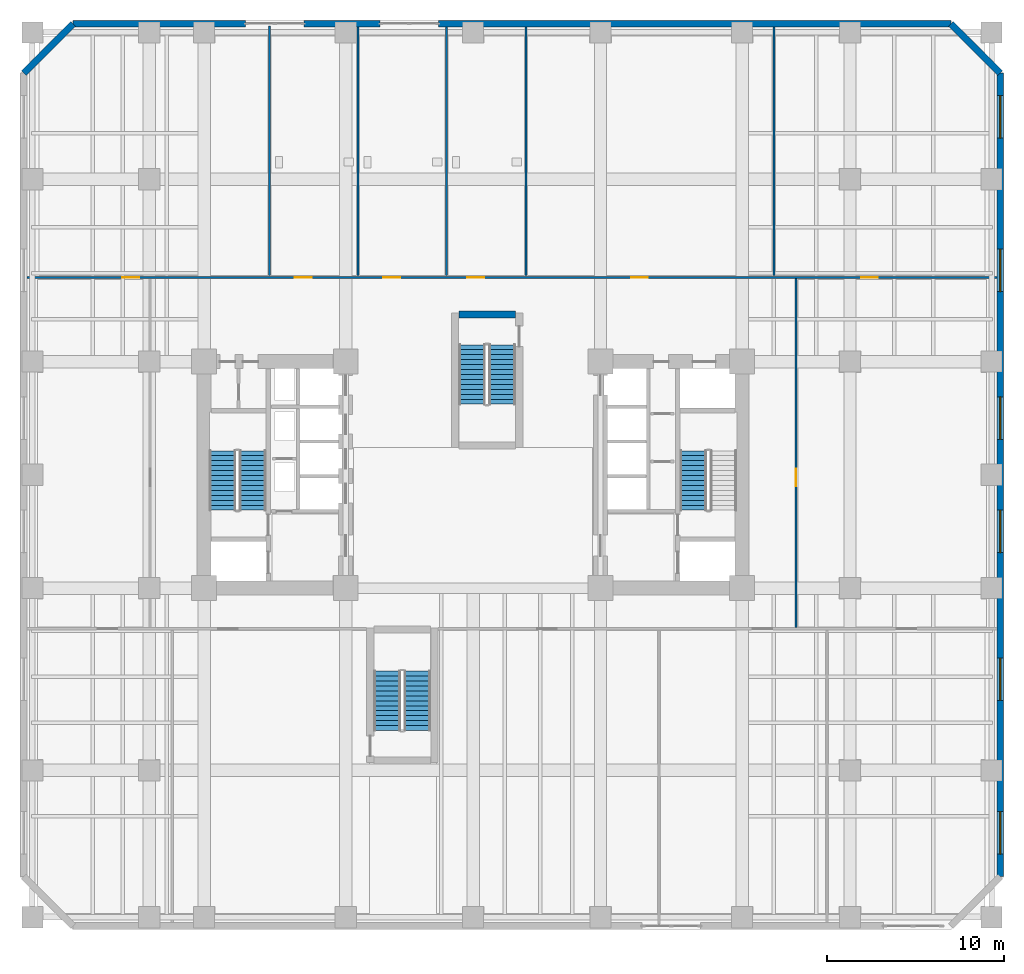
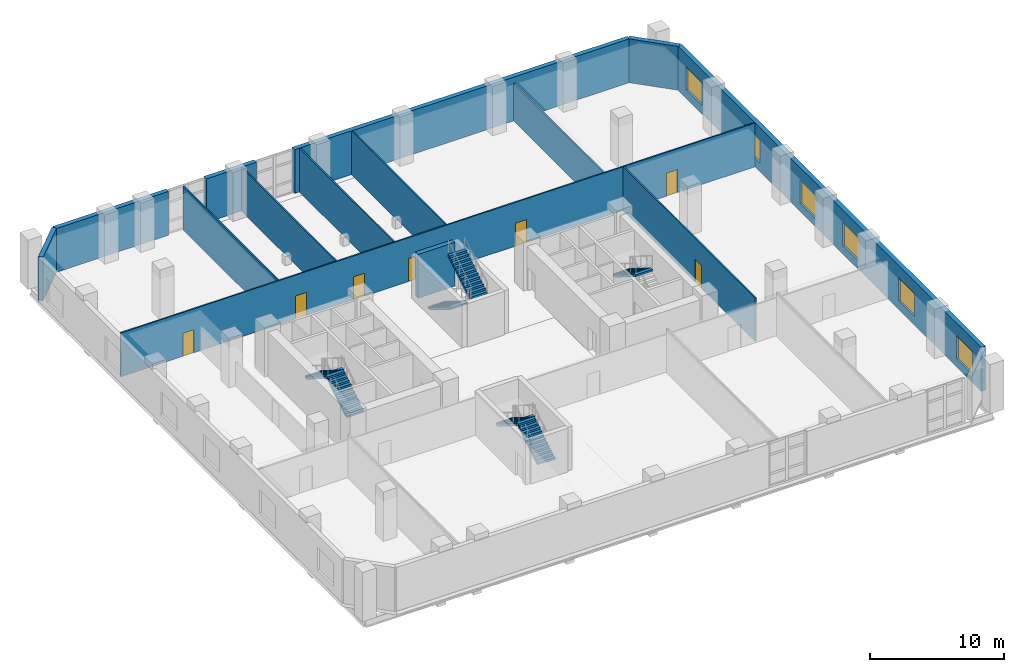
# One storey, part 8 of 15: 14 walls, 7 doors, 7 stair flights, 6 windows, 13 openings, 4 elements without a shape of their own.
"""IFC4 building model written with IfcOpenShell, lengths in metres."""

import ifcopenshell
import ifcopenshell.guid

model = None  # the IFC model being written
_history = None  # IfcOwnerHistory: only IFC2X3 demands one
_inside = {}  # id of a spatial element -> (the spatial element, [elements in it])
_under = {}  # id of a project, library or spatial element -> (it, [spatial elements below it])
_declared = {}  # id of a project -> (the project, [libraries it declares])
_typed = {}  # id of a type object -> (the type object, [elements of that type])
_made_of = {}  # id of a material, layer set ... -> (it, [elements and type objects made of it])


def new_model(schema):
    """Start an empty IFC model of exactly this schema.

    Asked for "IFC4X3", IfcOpenShell would pick the latest addendum, in which some entities
    have other attributes; the version numbers below select the first issue.
    IFC2X3 requires an IfcOwnerHistory on every rooted entity: one is made here for all.
    """
    global model, _history
    if schema == "IFC4X3":
        model = ifcopenshell.file(schema_version=(4, 3, 0, 0))
    else:
        model = ifcopenshell.file(schema=schema)
    _inside.clear()
    _under.clear()
    _declared.clear()
    _typed.clear()
    _made_of.clear()
    _history = None
    if model.schema == "IFC2X3":
        org = make("IfcOrganization", Name="unknown")
        user = make(
            "IfcPersonAndOrganization",
            ThePerson=make("IfcPerson", FamilyName="unknown"),
            TheOrganization=org,
        )
        app = make(
            "IfcApplication",
            ApplicationDeveloper=org,
            Version="unknown",
            ApplicationFullName="unknown",
            ApplicationIdentifier="unknown",
        )
        _history = make(
            "IfcOwnerHistory",
            OwningUser=user,
            OwningApplication=app,
            ChangeAction="ADDED",
            CreationDate=0,
        )
    return model


def make(cls, **values):
    """One entity of the class cls with the attributes given. An attribute that is None is left unset."""
    return model.create_entity(
        cls, **{name: value for name, value in values.items() if value is not None}
    )


def rooted(cls, **values):
    """An entity with a GlobalId (a new one), such as an element, a storey or a relation."""
    return make(cls, GlobalId=ifcopenshell.guid.new(), OwnerHistory=_history, **values)


def si_unit(unit_type, name, prefix=None):
    """IfcSIUnit, for example si_unit("LENGTHUNIT", "METRE", prefix="MILLI")."""
    return make("IfcSIUnit", UnitType=unit_type, Prefix=prefix, Name=name)


def assignment(units):
    """IfcUnitAssignment: the units of a project."""
    return None if units is None else make("IfcUnitAssignment", Units=units)


def point(xyz):
    """IfcCartesianPoint."""
    return None if xyz is None else make("IfcCartesianPoint", Coordinates=xyz)


def direction(xyz):
    """IfcDirection."""
    return None if xyz is None else make("IfcDirection", DirectionRatios=xyz)


def frame(location, z_axis=None, x_axis=None):
    """IfcAxis2Placement3D, a coordinate frame: its origin and axes. An axis left out is left unset."""
    return make(
        "IfcAxis2Placement3D",
        Location=point(location),
        Axis=direction(z_axis),
        RefDirection=direction(x_axis),
    )


def frame_2d(location, x_axis=None):
    """IfcAxis2Placement2D, a coordinate frame in the plane: its origin and x axis."""
    return make(
        "IfcAxis2Placement2D", Location=point(location), RefDirection=direction(x_axis)
    )


def origin():
    """The frame at (0, 0, 0) with its axes left unset."""
    return frame((0.0, 0.0, 0.0))


def place(relative_to, where):
    """IfcLocalPlacement: puts the frame where relative to a parent placement (None: the world)."""
    return make(
        "IfcLocalPlacement", PlacementRelTo=relative_to, RelativePlacement=where
    )


def context(
    kind, dimensions, precision=None, world=None, true_north=None, identifier=None
):
    """IfcGeometricRepresentationContext, for example the 3D "Model" context."""
    return make(
        "IfcGeometricRepresentationContext",
        ContextIdentifier=identifier,
        ContextType=kind,
        CoordinateSpaceDimension=dimensions,
        Precision=precision,
        WorldCoordinateSystem=world,
        TrueNorth=true_north,
    )


def subcontext(parent, identifier, kind, view, scale=None):
    """IfcGeometricRepresentationSubContext, for example "Body" below "Model"."""
    return make(
        "IfcGeometricRepresentationSubContext",
        ContextIdentifier=identifier,
        ContextType=kind,
        ParentContext=parent,
        TargetScale=scale,
        TargetView=view,
    )


def project(units=None, contexts=None):
    """IfcProject with its units and contexts."""
    return rooted(
        "IfcProject",
        Name="project",
        RepresentationContexts=contexts,
        UnitsInContext=assignment(units),
    )


def spatial(cls, under=None, at=None, **own):
    """A site, building, storey or space (cls), placed at a placement, below another one or the project."""
    s = rooted(cls, ObjectPlacement=at, **own)
    if under is not None:
        _under.setdefault(under.id(), (under, []))[1].append(s)
    return s


def polyline(points):
    """IfcPolyline through the points."""
    return make("IfcPolyline", Points=[point(p) for p in points])


def profile(cls, at=None, kind="AREA", **sizes):
    """A parametric profile (cls). Its sizes go by their IFC names, for example OverallWidth=200.0."""
    return make(cls, ProfileType=kind, Position=at, **sizes)


def rectangle(**sizes):
    """IfcRectangleProfileDef."""
    return profile("IfcRectangleProfileDef", **sizes)


def outline(outer, holes=None, kind="AREA"):
    """IfcArbitraryClosedProfileDef: a profile drawn as a closed curve; with holes, ...WithVoids."""
    if holes is None:
        return make("IfcArbitraryClosedProfileDef", ProfileType=kind, OuterCurve=outer)
    return make(
        "IfcArbitraryProfileDefWithVoids",
        ProfileType=kind,
        OuterCurve=outer,
        InnerCurves=holes,
    )


def extrude(swept, where, along, depth):
    """IfcExtrudedAreaSolid: the profile swept, set in the frame where, extruded along a direction by depth."""
    return make(
        "IfcExtrudedAreaSolid",
        SweptArea=swept,
        Position=where,
        ExtrudedDirection=direction(along),
        Depth=depth,
    )


def shape(context_of_items, identifier, shape_type, items):
    """IfcShapeRepresentation: the items that make up one representation, for example the "Body"."""
    return make(
        "IfcShapeRepresentation",
        ContextOfItems=context_of_items,
        RepresentationIdentifier=identifier,
        RepresentationType=shape_type,
        Items=items,
    )


def material(Name=None, Category=None):
    """IfcMaterial."""
    return make("IfcMaterial", Name=Name, Category=Category)


def layer(
    of_material, thickness, ventilated=None, Name=None, Category=None, Priority=None
):
    """IfcMaterialLayer: one layer of a wall or slab, of a material (None: an air gap)."""
    return make(
        "IfcMaterialLayer",
        Material=of_material,
        LayerThickness=thickness,
        IsVentilated=ventilated,
        Name=Name,
        Category=Category,
        Priority=Priority,
    )


def layer_set(layers, Name=None):
    """IfcMaterialLayerSet."""
    return make("IfcMaterialLayerSet", MaterialLayers=layers, LayerSetName=Name)


def made_of(thing, what):
    """Note that an element or type object is made of a material, layer set ...; save() writes the relation."""
    if what is not None:
        _made_of.setdefault(what.id(), (what, []))[1].append(thing)
    return thing


def type_object(cls, material=None, **own):
    """A type object (cls), such as IfcWallType, which elements share."""
    return made_of(rooted(cls, **own), material)


def element(
    cls,
    number,
    at=None,
    inside=None,
    cuts=None,
    type_object=None,
    material=None,
    context=None,
    identifier="Body",
    shape_type=None,
    held_by="IfcProductDefinitionShape",
    body=None,
    shapes=None,
    **own,
):
    """One element of the class cls, such as IfcWall. Its Tag is "e" and its number.

    at: its placement. inside: the storey or other place that contains it. cuts: it is an
    opening in that element (IfcRelVoidsElement). A single representation is given by context,
    identifier, shape_type and body (its items); several are given by shapes. held_by: the class
    of the entity that holds the representations. save() writes the other relations.
    """
    e = rooted(cls, Tag="e%d" % number, ObjectPlacement=at, **own)
    if body is not None:
        shapes = [shape(context, identifier, shape_type, body)]
    if shapes is not None:
        e.Representation = make(held_by, Representations=shapes)
    if inside is not None:
        _inside.setdefault(inside.id(), (inside, []))[1].append(e)
    if cuts is not None:
        rooted(
            "IfcRelVoidsElement", RelatingBuildingElement=cuts, RelatedOpeningElement=e
        )
    if type_object is not None:
        _typed.setdefault(type_object.id(), (type_object, []))[1].append(e)
    return made_of(e, material)


def fill(opening, filler):
    """IfcRelFillsElement: the door or window that sits in an opening."""
    return rooted(
        "IfcRelFillsElement",
        RelatingOpeningElement=opening,
        RelatedBuildingElement=filler,
    )


def aggregate(whole, parts):
    """IfcRelAggregates: a whole, such as a stair, and the parts it consists of."""
    return rooted("IfcRelAggregates", RelatingObject=whole, RelatedObjects=parts)


def save(model, path):
    """Write the relations noted so far, then the file.

    IfcRelAggregates (storeys below a building ...), IfcRelContainedInSpatialStructure (elements
    in a storey), IfcRelDefinesByType, IfcRelAssociatesMaterial and IfcRelDeclares: one each for
    every whole, place, type object, material and project.
    """
    for whole, parts in _under.values():
        aggregate(whole, parts)
    for where, things in _inside.values():
        rooted(
            "IfcRelContainedInSpatialStructure",
            RelatedElements=things,
            RelatingStructure=where,
        )
    for kind, things in _typed.values():
        rooted("IfcRelDefinesByType", RelatedObjects=things, RelatingType=kind)
    for what, things in _made_of.values():
        rooted("IfcRelAssociatesMaterial", RelatedObjects=things, RelatingMaterial=what)
    for by, libraries in _declared.values():
        rooted("IfcRelDeclares", RelatingContext=by, RelatedDefinitions=libraries)
    model.write(path)


model = new_model("IFC4")

# Units and contexts
model_context = context("Model", 3, precision=1e-05, world=origin(), true_north=direction((0.0, 1.0)))
body_context = subcontext(model_context, "Body", "Model", "MODEL_VIEW")
ifc_project = project(units=[si_unit("LENGTHUNIT", "METRE"), si_unit("AREAUNIT", "SQUARE_METRE"), si_unit("VOLUMEUNIT", "CUBIC_METRE"), si_unit("PLANEANGLEUNIT", "RADIAN"), si_unit("MASSUNIT", "GRAM", prefix="KILO")], contexts=[model_context])

# Site, building, storey
site_placement = place(None, origin())
site = spatial("IfcSite", under=ifc_project, at=site_placement, CompositionType="ELEMENT")
building_placement = place(site_placement, origin())
building = spatial("IfcBuilding", under=site, at=building_placement, Name="Kranthara Brick Stack", CompositionType="ELEMENT")
storey_placement = place(building_placement, frame((0.0, 0.0, 14.39990234375)))
storey = spatial("IfcBuildingStorey", under=building, at=storey_placement, Name="L03", CompositionType="ELEMENT", Elevation=14.39990234375)

# Walls
ifc_material_1 = material(Name="Kiln-fired clay brick masonry M15", Category="masonry")
ifc_layer_1 = layer(ifc_material_1, 0.3798828125)
ifc_layer_set_1 = layer_set([ifc_layer_1], Name="Kiln-fired clay brick masonry M15")
wall_type_1 = type_object("IfcWallType", Name="WL-BRK-PIER-380", PredefinedType="STANDARD", material=ifc_layer_set_1)
wall_1_placement = place(storey_placement, frame((2.610107421875, 49.89990234375, 0.0), z_axis=(0.0, 0.0, 1.0), x_axis=(0.707075841688, 0.707137719332, 0.0)))
element("IfcWall", 1, at=wall_1_placement, inside=storey, type_object=wall_type_1, Name="L03 Exterior Brick Facade Wall NW 1", PredefinedType="STANDARD", context=body_context, shape_type="SweptSolid", body=[
    extrude(rectangle(XDim=3.945556640625, YDim=0.3798828125, at=frame_2d((1.97265625, 0.0))), origin(), (0.0, 0.0, 1.0), 4.0),
])
wall_2_placement = place(storey_placement, frame((5.39990234375, 52.68994140625, 0.0), z_axis=(0.0, 0.0, 1.0), x_axis=(1.0, 0.0, 0.0)))
element("IfcWall", 2, at=wall_2_placement, inside=storey, type_object=wall_type_1, Name="L03 Exterior Brick Facade Wall NORTH 1", PredefinedType="STANDARD", context=body_context, shape_type="SweptSolid", body=[
    extrude(rectangle(XDim=9.75, YDim=0.3798828125, at=frame_2d((4.875, 0.0))), origin(), (0.0, 0.0, 1.0), 4.0),
])
wall_3_placement = place(storey_placement, frame((18.449951171875, 52.68994140625, 0.0), z_axis=(0.0, 0.0, 1.0), x_axis=(1.0, 0.0, 0.0)))
element("IfcWall", 3, at=wall_3_placement, inside=storey, type_object=wall_type_1, Name="L03 Exterior Brick Facade Wall NORTH 2", PredefinedType="STANDARD", context=body_context, shape_type="SweptSolid", body=[
    extrude(rectangle(XDim=4.300048828125, YDim=0.3798828125, at=frame_2d((2.14990234375, 0.0))), origin(), (0.0, 0.0, 1.0), 4.0),
])
wall_4_placement = place(storey_placement, frame((26.050048828125, 52.68994140625, 0.0), z_axis=(0.0, 0.0, 1.0), x_axis=(1.0, 0.0, 0.0)))
element("IfcWall", 4, at=wall_4_placement, inside=storey, type_object=wall_type_1, Name="L03 Exterior Brick Facade Wall NORTH 3", PredefinedType="STANDARD", context=body_context, shape_type="SweptSolid", body=[
    extrude(rectangle(XDim=28.949951171875, YDim=0.3798828125, at=frame_2d((14.47509765625, 0.0))), origin(), (0.0, 0.0, 1.0), 4.0),
])
wall_5_placement = place(storey_placement, frame((55.0, 52.68994140625, 0.0), z_axis=(0.0, 0.0, 1.0), x_axis=(0.707106781187, -0.707106781187, 0.0)))
element("IfcWall", 5, at=wall_5_placement, inside=storey, type_object=wall_type_1, Name="L03 Exterior Brick Facade Wall NE 1", PredefinedType="STANDARD", context=body_context, shape_type="SweptSolid", body=[
    extrude(rectangle(XDim=3.94580078125, YDim=0.3798828125, at=frame_2d((1.972900390625, 0.0))), origin(), (0.0, 0.0, 1.0), 4.0),
])

# Wall, openings, windows
wall_6_placement = place(storey_placement, frame((57.7900390625, 49.89990234375, 0.0), z_axis=(0.0, 0.0, 1.0), x_axis=(0.0, -1.0, 0.0)))
wall_6 = element("IfcWall", 6, at=wall_6_placement, inside=storey, type_object=wall_type_1, Name="L03 Exterior Brick Facade Wall EAST 1", PredefinedType="STANDARD", context=body_context, shape_type="SweptSolid", body=[
    extrude(rectangle(XDim=45.39990234375, YDim=0.3798828125, at=frame_2d((22.699951171875, 0.0))), origin(), (0.0, 0.0, 1.0), 4.0),
])
opening_1_placement = place(wall_6_placement, frame((1.27490234375, 0.0, 0.75)))
opening_1 = element("IfcOpeningElement", 7, at=opening_1_placement, cuts=wall_6, Name="Opening WN11", PredefinedType="OPENING", context=body_context, shape_type="SweptSolid", body=[
    extrude(rectangle(XDim=2.39990234375, YDim=2.10009765625, at=frame_2d((1.199951171875, 1.050048828125))), frame((0.0, 0.199951171875, 0.0), z_axis=(0.0, -1.0, 0.0), x_axis=(1.0, 0.0, 0.0)), (0.0, 0.0, 1.0), 0.39990234375),
])
opening_2_placement = place(wall_6_placement, frame((9.949951171875, 0.0, 0.75)))
opening_2 = element("IfcOpeningElement", 8, at=opening_2_placement, cuts=wall_6, Name="Opening WN11", PredefinedType="OPENING", context=body_context, shape_type="SweptSolid", body=[
    extrude(rectangle(XDim=2.39990234375, YDim=2.10009765625, at=frame_2d((1.199951171875, 1.050048828125))), frame((0.0, 0.199951171875, 0.0), z_axis=(0.0, -1.0, 0.0), x_axis=(1.0, 0.0, 0.0)), (0.0, 0.0, 1.0), 0.39990234375),
])
opening_3_placement = place(wall_6_placement, frame((18.300048828125, 0.0, 0.75)))
opening_3 = element("IfcOpeningElement", 9, at=opening_3_placement, cuts=wall_6, Name="Opening WN11", PredefinedType="OPENING", context=body_context, shape_type="SweptSolid", body=[
    extrude(rectangle(XDim=2.39990234375, YDim=2.10009765625, at=frame_2d((1.199951171875, 1.050048828125))), frame((0.0, 0.199951171875, 0.0), z_axis=(0.0, -1.0, 0.0), x_axis=(1.0, 0.0, 0.0)), (0.0, 0.0, 1.0), 0.39990234375),
])
opening_4_placement = place(wall_6_placement, frame((24.699951171875, 0.0, 0.75)))
opening_4 = element("IfcOpeningElement", 10, at=opening_4_placement, cuts=wall_6, Name="Opening WN11", PredefinedType="OPENING", context=body_context, shape_type="SweptSolid", body=[
    extrude(rectangle(XDim=2.39990234375, YDim=2.10009765625, at=frame_2d((1.199951171875, 1.050048828125))), frame((0.0, 0.199951171875, 0.0), z_axis=(0.0, -1.0, 0.0), x_axis=(1.0, 0.0, 0.0)), (0.0, 0.0, 1.0), 0.39990234375),
])
opening_5_placement = place(wall_6_placement, frame((33.050048828125, 0.0, 0.75)))
opening_5 = element("IfcOpeningElement", 11, at=opening_5_placement, cuts=wall_6, Name="Opening WN11", PredefinedType="OPENING", context=body_context, shape_type="SweptSolid", body=[
    extrude(rectangle(XDim=2.39990234375, YDim=2.10009765625, at=frame_2d((1.199951171875, 1.050048828125))), frame((0.0, 0.199951171875, 0.0), z_axis=(0.0, -1.0, 0.0), x_axis=(1.0, 0.0, 0.0)), (0.0, 0.0, 1.0), 0.39990234375),
])
opening_6_placement = place(wall_6_placement, frame((41.72509765625, 0.0, 0.75)))
opening_6 = element("IfcOpeningElement", 12, at=opening_6_placement, cuts=wall_6, Name="Opening WN11", PredefinedType="OPENING", context=body_context, shape_type="SweptSolid", body=[
    extrude(rectangle(XDim=2.39990234375, YDim=2.10009765625, at=frame_2d((1.199951171875, 1.050048828125))), frame((0.0, 0.199951171875, 0.0), z_axis=(0.0, -1.0, 0.0), x_axis=(1.0, 0.0, 0.0)), (0.0, 0.0, 1.0), 0.39990234375),
])
ifc_material_2 = material(Name="Double-glazed low-E solar control glass", Category="glass")
window_type = type_object("IfcWindowType", Name="WN-POD-2400x2100", PartitioningType="TRIPLE_PANEL_VERTICAL", PredefinedType="WINDOW", material=ifc_material_2)
window_1_placement = place(opening_1_placement, origin())
window_1 = element("IfcWindow", 13, at=window_1_placement, inside=storey, type_object=window_type, Name="L03 EAST Podium Window", OverallHeight=2.10009765625, OverallWidth=2.39990234375, PartitioningType="SINGLE_PANEL", PredefinedType="WINDOW", context=body_context, shape_type="SweptSolid", body=[
    extrude(rectangle(XDim=2.39990234375, YDim=2.10009765625, at=frame_2d((1.199951171875, 1.050048828125))), frame((0.0, 0.030029296875, 0.0), z_axis=(0.0, -1.0, 0.0), x_axis=(1.0, 0.0, 0.0)), (0.0, 0.0, 1.0), 0.06005859375),
])
fill(opening_1, window_1)
window_2_placement = place(opening_2_placement, origin())
window_2 = element("IfcWindow", 14, at=window_2_placement, inside=storey, type_object=window_type, Name="L03 EAST Podium Window", OverallHeight=2.10009765625, OverallWidth=2.39990234375, PartitioningType="SINGLE_PANEL", PredefinedType="WINDOW", context=body_context, shape_type="SweptSolid", body=[
    extrude(rectangle(XDim=2.39990234375, YDim=2.10009765625, at=frame_2d((1.199951171875, 1.050048828125))), frame((0.0, 0.030029296875, 0.0), z_axis=(0.0, -1.0, 0.0), x_axis=(1.0, 0.0, 0.0)), (0.0, 0.0, 1.0), 0.06005859375),
])
fill(opening_2, window_2)
window_3_placement = place(opening_3_placement, origin())
window_3 = element("IfcWindow", 15, at=window_3_placement, inside=storey, type_object=window_type, Name="L03 EAST Podium Window", OverallHeight=2.10009765625, OverallWidth=2.39990234375, PartitioningType="SINGLE_PANEL", PredefinedType="WINDOW", context=body_context, shape_type="SweptSolid", body=[
    extrude(rectangle(XDim=2.39990234375, YDim=2.10009765625, at=frame_2d((1.199951171875, 1.050048828125))), frame((0.0, 0.030029296875, 0.0), z_axis=(0.0, -1.0, 0.0), x_axis=(1.0, 0.0, 0.0)), (0.0, 0.0, 1.0), 0.06005859375),
])
fill(opening_3, window_3)
window_4_placement = place(opening_4_placement, origin())
window_4 = element("IfcWindow", 16, at=window_4_placement, inside=storey, type_object=window_type, Name="L03 EAST Podium Window", OverallHeight=2.10009765625, OverallWidth=2.39990234375, PartitioningType="SINGLE_PANEL", PredefinedType="WINDOW", context=body_context, shape_type="SweptSolid", body=[
    extrude(rectangle(XDim=2.39990234375, YDim=2.10009765625, at=frame_2d((1.199951171875, 1.050048828125))), frame((0.0, 0.030029296875, 0.0), z_axis=(0.0, -1.0, 0.0), x_axis=(1.0, 0.0, 0.0)), (0.0, 0.0, 1.0), 0.06005859375),
])
fill(opening_4, window_4)
window_5_placement = place(opening_5_placement, origin())
window_5 = element("IfcWindow", 17, at=window_5_placement, inside=storey, type_object=window_type, Name="L03 EAST Podium Window", OverallHeight=2.10009765625, OverallWidth=2.39990234375, PartitioningType="SINGLE_PANEL", PredefinedType="WINDOW", context=body_context, shape_type="SweptSolid", body=[
    extrude(rectangle(XDim=2.39990234375, YDim=2.10009765625, at=frame_2d((1.199951171875, 1.050048828125))), frame((0.0, 0.030029296875, 0.0), z_axis=(0.0, -1.0, 0.0), x_axis=(1.0, 0.0, 0.0)), (0.0, 0.0, 1.0), 0.06005859375),
])
fill(opening_5, window_5)
window_6_placement = place(opening_6_placement, origin())
window_6 = element("IfcWindow", 18, at=window_6_placement, inside=storey, type_object=window_type, Name="L03 EAST Podium Window", OverallHeight=2.10009765625, OverallWidth=2.39990234375, PartitioningType="SINGLE_PANEL", PredefinedType="WINDOW", context=body_context, shape_type="SweptSolid", body=[
    extrude(rectangle(XDim=2.39990234375, YDim=2.10009765625, at=frame_2d((1.199951171875, 1.050048828125))), frame((0.0, 0.030029296875, 0.0), z_axis=(0.0, -1.0, 0.0), x_axis=(1.0, 0.0, 0.0)), (0.0, 0.0, 1.0), 0.06005859375),
])
fill(opening_6, window_6)

# Wall
ifc_material_3 = material(Name="Concrete C50/60", Category="concrete")
ifc_layer_2 = layer(ifc_material_3, 0.39990234375)
ifc_layer_set_2 = layer_set([ifc_layer_2], Name="Concrete C50/60")
wall_type_2 = type_object("IfcWallType", Name="WL-CORE-400", PredefinedType="SHEAR", material=ifc_layer_set_2)
wall_7_placement = place(storey_placement, frame((27.199951171875, 36.25, 0.0), z_axis=(0.0, 0.0, 1.0), x_axis=(1.0, 0.0, 0.0)))
element("IfcWall", 19, at=wall_7_placement, inside=storey, type_object=wall_type_2, Name="L03 Stair ST04 Bearing Wall N", PredefinedType="SHEAR", context=body_context, shape_type="SweptSolid", body=[
    extrude(rectangle(XDim=3.199951171875, YDim=0.39990234375, at=frame_2d((1.60009765625, 0.0))), origin(), (0.0, 0.0, 1.0), 4.0),
])

# Wall, openings, doors
ifc_material_4 = material(Name="Acoustic gypsum plasterboard partition", Category="other")
ifc_layer_3 = layer(ifc_material_4, 0.1201171875)
ifc_layer_set_3 = layer_set([ifc_layer_3], Name="Acoustic gypsum plasterboard partition")
wall_type_3 = type_object("IfcWallType", Name="WL-PART-120", PredefinedType="PARTITIONING", material=ifc_layer_set_3)
wall_8_placement = place(storey_placement, frame((2.804931640625, 38.35009765625, 0.0), z_axis=(0.0, 0.0, 1.0), x_axis=(1.0, 0.0, 0.0)))
wall_8 = element("IfcWall", 20, at=wall_8_placement, inside=storey, type_object=wall_type_3, Name="L03 Interior Partition 010", PredefinedType="PARTITIONING", context=body_context, shape_type="SweptSolid", body=[
    extrude(rectangle(XDim=54.7900390625, YDim=0.1201171875, at=frame_2d((27.39501953125, 0.0))), origin(), (0.0, 0.0, 1.0), 4.0),
])
opening_7_placement = place(wall_8_placement, frame((5.3701171875, 0.0, 0.0)))
opening_7 = element("IfcOpeningElement", 21, at=opening_7_placement, cuts=wall_8, Name="Opening D14", PredefinedType="OPENING", context=body_context, shape_type="SweptSolid", body=[
    extrude(rectangle(XDim=0.949951171875, YDim=2.10009765625, at=frame_2d((0.47509765625, 1.050048828125))), frame((0.0, 0.070068359375, 0.0), z_axis=(0.0, -1.0, 0.0), x_axis=(1.0, 0.0, 0.0)), (0.0, 0.0, 1.0), 0.14013671875),
])
opening_8_placement = place(wall_8_placement, frame((15.1201171875, 0.0, 0.0)))
opening_8 = element("IfcOpeningElement", 22, at=opening_8_placement, cuts=wall_8, Name="Opening D14", PredefinedType="OPENING", context=body_context, shape_type="SweptSolid", body=[
    extrude(rectangle(XDim=0.949951171875, YDim=2.10009765625, at=frame_2d((0.47509765625, 1.050048828125))), frame((0.0, 0.070068359375, 0.0), z_axis=(0.0, -1.0, 0.0), x_axis=(1.0, 0.0, 0.0)), (0.0, 0.0, 1.0), 0.14013671875),
])
opening_9_placement = place(wall_8_placement, frame((20.1201171875, 0.0, 0.0)))
opening_9 = element("IfcOpeningElement", 23, at=opening_9_placement, cuts=wall_8, Name="Opening D14", PredefinedType="OPENING", context=body_context, shape_type="SweptSolid", body=[
    extrude(rectangle(XDim=0.949951171875, YDim=2.10009765625, at=frame_2d((0.47509765625, 1.050048828125))), frame((0.0, 0.070068359375, 0.0), z_axis=(0.0, -1.0, 0.0), x_axis=(1.0, 0.0, 0.0)), (0.0, 0.0, 1.0), 0.14013671875),
])
opening_10_placement = place(wall_8_placement, frame((24.8701171875, 0.0, 0.0)))
opening_10 = element("IfcOpeningElement", 24, at=opening_10_placement, cuts=wall_8, Name="Opening D14", PredefinedType="OPENING", context=body_context, shape_type="SweptSolid", body=[
    extrude(rectangle(XDim=0.949951171875, YDim=2.10009765625, at=frame_2d((0.47509765625, 1.050048828125))), frame((0.0, 0.070068359375, 0.0), z_axis=(0.0, -1.0, 0.0), x_axis=(1.0, 0.0, 0.0)), (0.0, 0.0, 1.0), 0.14013671875),
])
opening_11_placement = place(wall_8_placement, frame((34.1201171875, 0.0, 0.0)))
opening_11 = element("IfcOpeningElement", 25, at=opening_11_placement, cuts=wall_8, Name="Opening D14", PredefinedType="OPENING", context=body_context, shape_type="SweptSolid", body=[
    extrude(rectangle(XDim=0.949951171875, YDim=2.10009765625, at=frame_2d((0.47509765625, 1.050048828125))), frame((0.0, 0.070068359375, 0.0), z_axis=(0.0, -1.0, 0.0), x_axis=(1.0, 0.0, 0.0)), (0.0, 0.0, 1.0), 0.14013671875),
])
opening_12_placement = place(wall_8_placement, frame((47.1201171875, 0.0, 0.0)))
opening_12 = element("IfcOpeningElement", 26, at=opening_12_placement, cuts=wall_8, Name="Opening D14", PredefinedType="OPENING", context=body_context, shape_type="SweptSolid", body=[
    extrude(rectangle(XDim=0.949951171875, YDim=2.10009765625, at=frame_2d((0.47509765625, 1.050048828125))), frame((0.0, 0.070068359375, 0.0), z_axis=(0.0, -1.0, 0.0), x_axis=(1.0, 0.0, 0.0)), (0.0, 0.0, 1.0), 0.14013671875),
])
ifc_material_5 = material(Name="Solid-core hardwood timber leaf in steel frame", Category="steel")
door_type_1 = type_object("IfcDoorType", Name="DR-INT-950", OperationType="NOTDEFINED", PredefinedType="DOOR", material=ifc_material_5)
door_1_placement = place(opening_7_placement, origin())
door_1 = element("IfcDoor", 27, at=door_1_placement, inside=storey, type_object=door_type_1, Name="L03 Flexible Desk Lounge 10", OperationType="SINGLE_SWING_RIGHT", OverallHeight=2.10009765625, OverallWidth=0.949951171875, PredefinedType="DOOR", context=body_context, shape_type="SweptSolid", body=[
    extrude(rectangle(XDim=0.949951171875, YDim=2.10009765625, at=frame_2d((0.47509765625, 1.050048828125))), frame((0.0, 0.02490234375, 0.0), z_axis=(0.0, -1.0, 0.0), x_axis=(1.0, 0.0, 0.0)), (0.0, 0.0, 1.0), 0.050048828125),
])
fill(opening_7, door_1)
door_2_placement = place(opening_8_placement, origin())
door_2 = element("IfcDoor", 28, at=door_2_placement, inside=storey, type_object=door_type_1, Name="L03 Male Restroom WC 11", OperationType="SINGLE_SWING_LEFT", OverallHeight=2.10009765625, OverallWidth=0.949951171875, PredefinedType="DOOR", context=body_context, shape_type="SweptSolid", body=[
    extrude(rectangle(XDim=0.949951171875, YDim=2.10009765625, at=frame_2d((0.47509765625, 1.050048828125))), frame((0.0, 0.02490234375, 0.0), z_axis=(0.0, -1.0, 0.0), x_axis=(1.0, 0.0, 0.0)), (0.0, 0.0, 1.0), 0.050048828125),
])
fill(opening_8, door_2)
door_3_placement = place(opening_9_placement, origin())
door_3 = element("IfcDoor", 29, at=door_3_placement, inside=storey, type_object=door_type_1, Name="L03 Female Restroom WC 12", OperationType="SINGLE_SWING_RIGHT", OverallHeight=2.10009765625, OverallWidth=0.949951171875, PredefinedType="DOOR", context=body_context, shape_type="SweptSolid", body=[
    extrude(rectangle(XDim=0.949951171875, YDim=2.10009765625, at=frame_2d((0.47509765625, 1.050048828125))), frame((0.0, 0.02490234375, 0.0), z_axis=(0.0, -1.0, 0.0), x_axis=(1.0, 0.0, 0.0)), (0.0, 0.0, 1.0), 0.050048828125),
])
fill(opening_9, door_3)
door_4_placement = place(opening_10_placement, origin())
door_4 = element("IfcDoor", 30, at=door_4_placement, inside=storey, type_object=door_type_1, Name="L03 Accessible Restroom WC 13", OperationType="SINGLE_SWING_LEFT", OverallHeight=2.10009765625, OverallWidth=0.949951171875, PredefinedType="DOOR", context=body_context, shape_type="SweptSolid", body=[
    extrude(rectangle(XDim=0.949951171875, YDim=2.10009765625, at=frame_2d((0.47509765625, 1.050048828125))), frame((0.0, 0.02490234375, 0.0), z_axis=(0.0, -1.0, 0.0), x_axis=(1.0, 0.0, 0.0)), (0.0, 0.0, 1.0), 0.050048828125),
])
fill(opening_10, door_4)
door_5_placement = place(opening_11_placement, origin())
door_5 = element("IfcDoor", 31, at=door_5_placement, inside=storey, type_object=door_type_1, Name="L03 Catering Pantry 14", OperationType="SINGLE_SWING_RIGHT", OverallHeight=2.10009765625, OverallWidth=0.949951171875, PredefinedType="DOOR", context=body_context, shape_type="SweptSolid", body=[
    extrude(rectangle(XDim=0.949951171875, YDim=2.10009765625, at=frame_2d((0.47509765625, 1.050048828125))), frame((0.0, 0.02490234375, 0.0), z_axis=(0.0, -1.0, 0.0), x_axis=(1.0, 0.0, 0.0)), (0.0, 0.0, 1.0), 0.050048828125),
])
fill(opening_11, door_5)
door_6_placement = place(opening_12_placement, origin())
door_6 = element("IfcDoor", 32, at=door_6_placement, inside=storey, type_object=door_type_1, Name="L03 Townhall Briefing Room 15", OperationType="SINGLE_SWING_LEFT", OverallHeight=2.10009765625, OverallWidth=0.949951171875, PredefinedType="DOOR", context=body_context, shape_type="SweptSolid", body=[
    extrude(rectangle(XDim=0.949951171875, YDim=2.10009765625, at=frame_2d((0.47509765625, 1.050048828125))), frame((0.0, 0.02490234375, 0.0), z_axis=(0.0, -1.0, 0.0), x_axis=(1.0, 0.0, 0.0)), (0.0, 0.0, 1.0), 0.050048828125),
])
fill(opening_12, door_6)

# Walls
wall_9_placement = place(storey_placement, frame((16.5, 38.449951171875, 0.0), z_axis=(0.0, 0.0, 1.0), x_axis=(0.0, 1.0, 0.0)))
element("IfcWall", 33, at=wall_9_placement, inside=storey, type_object=wall_type_3, Name="L03 Interior Partition 011", PredefinedType="PARTITIONING", context=body_context, shape_type="SweptSolid", body=[
    extrude(rectangle(XDim=14.125, YDim=0.1201171875, at=frame_2d((7.0625, 0.0))), origin(), (0.0, 0.0, 1.0), 4.0),
])
for number, where, z_axis, x_axis, name in (
    (34, (21.5, 38.449951171875, 0.0), (0.0, 0.0, 1.0), (0.0, 1.0, 0.0), "L03 Interior Partition 012"),
    (35, (26.5, 38.449951171875, 0.0), (0.0, 0.0, 1.0), (0.0, 1.0, 0.0), "L03 Interior Partition 013"),
    (36, (31.0, 38.449951171875, 0.0), (0.0, 0.0, 1.0), (0.0, 1.0, 0.0), "L03 Interior Partition 014"),
):
    element("IfcWall", number, at=place(storey_placement, frame(where, z_axis=z_axis, x_axis=x_axis)), inside=storey, type_object=wall_type_3, Name=name, PredefinedType="PARTITIONING", context=body_context, shape_type="SweptSolid", body=[
        extrude(rectangle(XDim=14.045166015625, YDim=0.1201171875, at=frame_2d((7.0224609375, 0.0))), origin(), (0.0, 0.0, 1.0), 4.0),
    ])
wall_10_placement = place(storey_placement, frame((45.0, 38.449951171875, 0.0), z_axis=(0.0, 0.0, 1.0), x_axis=(0.0, 1.0, 0.0)))
element("IfcWall", 37, at=wall_10_placement, inside=storey, type_object=wall_type_3, Name="L03 Interior Partition 015", PredefinedType="PARTITIONING", context=body_context, shape_type="SweptSolid", body=[
    extrude(rectangle(XDim=14.045166015625, YDim=0.1201171875, at=frame_2d((7.0224609375, 0.0))), origin(), (0.0, 0.0, 1.0), 3.43505859375),
])

# Wall, opening, door
wall_11_placement = place(storey_placement, frame((46.25, 18.56494140625, 0.0), z_axis=(0.0, 0.0, 1.0), x_axis=(0.0, 1.0, 0.0)))
wall_11 = element("IfcWall", 38, at=wall_11_placement, inside=storey, type_object=wall_type_3, Name="L03 Interior Partition 017", PredefinedType="PARTITIONING", context=body_context, shape_type="SweptSolid", body=[
    extrude(rectangle(XDim=19.719970703125, YDim=0.1201171875, at=frame_2d((9.85986328125, 0.0))), origin(), (0.0, 0.0, 1.0), 4.0),
])
opening_13_placement = place(wall_11_placement, frame((7.985107421875, 0.0, 0.0)))
opening_13 = element("IfcOpeningElement", 39, at=opening_13_placement, cuts=wall_11, Name="Opening D13", PredefinedType="OPENING", context=body_context, shape_type="SweptSolid", body=[
    extrude(rectangle(XDim=1.0, YDim=2.10009765625, at=frame_2d((0.5, 1.050048828125))), frame((0.0, 0.070068359375, 0.0), z_axis=(0.0, -1.0, 0.0), x_axis=(1.0, 0.0, 0.0)), (0.0, 0.0, 1.0), 0.14013671875),
])
ifc_material_6 = material(Name="Solid-core hardwood timber leaf in steel frame", Category="steel")
door_type_2 = type_object("IfcDoorType", Name="DR-INT-1000", OperationType="NOTDEFINED", PredefinedType="DOOR", material=ifc_material_6)
door_7_placement = place(opening_13_placement, origin())
door_7 = element("IfcDoor", 40, at=door_7_placement, inside=storey, type_object=door_type_2, Name="L03 East Gallery Office 17", OperationType="SINGLE_SWING_LEFT", OverallHeight=2.10009765625, OverallWidth=1.0, PredefinedType="DOOR", context=body_context, shape_type="SweptSolid", body=[
    extrude(rectangle(XDim=1.0, YDim=2.10009765625, at=frame_2d((0.5, 1.050048828125))), frame((0.0, 0.02490234375, 0.0), z_axis=(0.0, -1.0, 0.0), x_axis=(1.0, 0.0, 0.0)), (0.0, 0.0, 1.0), 0.050048828125),
])
fill(opening_13, door_7)

# Stair, stair flights
ifc_material_7 = material(Name="Concrete C45/55", Category="concrete")
stair_type = type_object("IfcStairType", Name="ST-CORE-26R", PredefinedType="HALF_TURN_STAIR", material=ifc_material_7)
stair_1_placement = place(storey_placement, origin())
stair_1 = element("IfcStair", 41, at=stair_1_placement, inside=storey, type_object=stair_type, Name="L03 West Core Protected Exit Stair ST01", PredefinedType="HALF_TURN_STAIR")
ifc_material_8 = material(Name="Concrete C45/55", Category="concrete")
stair_flight_type = type_object("IfcStairFlightType", Name="SFL-RC-26R", PredefinedType="STRAIGHT", material=ifc_material_8)
stair_flight_1_placement = place(storey_placement, frame((15.550048828125, 25.199951171875, 0.0), z_axis=(0.0, 0.0, 1.0), x_axis=(0.0, 1.0, 0.0)))
stair_flight_1 = element("IfcStairFlight", 42, at=stair_flight_1_placement, type_object=stair_flight_type, Name="ST01 flight 1", NumberOfRisers=13, NumberOfTreads=12, PredefinedType="STRAIGHT", RiserHeight=0.173076923, TreadLength=0.28, context=body_context, shape_type="SweptSolid", body=[
    extrude(outline(polyline([(0.0, 0.0), (0.0, 0.173095703125), (0.280029296875, 0.173095703125), (0.280029296875, 0.34619140625), (0.56005859375, 0.34619140625), (0.56005859375, 0.519287109375), (0.840087890625, 0.519287109375), (0.840087890625, 0.6923828125), (1.1201171875, 0.6923828125), (1.1201171875, 0.865478515625), (1.39990234375, 0.865478515625), (1.39990234375, 1.03857421875), (1.679931640625, 1.03857421875), (1.679931640625, 1.21142578125), (1.9599609375, 1.21142578125), (1.9599609375, 1.384521484375), (2.239990234375, 1.384521484375), (2.239990234375, 1.5576171875), (2.52001953125, 1.5576171875), (2.52001953125, 1.730712890625), (2.800048828125, 1.730712890625), (2.800048828125, 1.90380859375), (3.080078125, 1.90380859375), (3.080078125, 2.076904296875), (3.360107421875, 2.076904296875), (3.360107421875, 2.25), (3.360107421875, 1.900634765625), (0.28515625, 0.0), (0.0, 0.0)])), frame((0.0, 0.75, 0.0), z_axis=(0.0, -1.0, 0.0), x_axis=(1.0, 0.0, 0.0)), (0.0, 0.0, 1.0), 1.5),
])
stair_flight_2_placement = place(storey_placement, frame((13.85009765625, 28.56005859375, 2.25), z_axis=(0.0, 0.0, 1.0), x_axis=(0.0, -1.0, 0.0)))
stair_flight_2 = element("IfcStairFlight", 43, at=stair_flight_2_placement, type_object=stair_flight_type, Name="ST01 flight 2", NumberOfRisers=13, NumberOfTreads=12, PredefinedType="STRAIGHT", RiserHeight=0.173076923, TreadLength=0.28, context=body_context, shape_type="SweptSolid", body=[
    extrude(outline(polyline([(0.0, 0.0), (0.0, 0.173095703125), (0.280029296875, 0.173095703125), (0.280029296875, 0.34619140625), (0.56005859375, 0.34619140625), (0.56005859375, 0.519287109375), (0.840087890625, 0.519287109375), (0.840087890625, 0.6923828125), (1.1201171875, 0.6923828125), (1.1201171875, 0.865478515625), (1.39990234375, 0.865478515625), (1.39990234375, 1.03857421875), (1.679931640625, 1.03857421875), (1.679931640625, 1.21142578125), (1.9599609375, 1.21142578125), (1.9599609375, 1.384521484375), (2.239990234375, 1.384521484375), (2.239990234375, 1.5576171875), (2.52001953125, 1.5576171875), (2.52001953125, 1.730712890625), (2.800048828125, 1.730712890625), (2.800048828125, 1.90380859375), (3.080078125, 1.90380859375), (3.080078125, 2.076904296875), (3.360107421875, 2.076904296875), (3.360107421875, 2.25), (3.360107421875, 1.900634765625), (0.28515625, 0.0), (0.0, 0.0)])), frame((0.0, 0.75, 0.0), z_axis=(0.0, -1.0, 0.0), x_axis=(1.0, 0.0, 0.0)), (0.0, 0.0, 1.0), 1.5),
])
aggregate(stair_1, [stair_flight_1, stair_flight_2])

# Stair, stair flight
stair_2_placement = place(storey_placement, origin())
stair_2 = element("IfcStair", 44, at=stair_2_placement, inside=storey, type_object=stair_type, Name="L03 East Core Protected Exit Stair ST02", PredefinedType="HALF_TURN_STAIR")
stair_flight_3_placement = place(storey_placement, frame((40.449951171875, 28.56005859375, 2.25), z_axis=(0.0, 0.0, 1.0), x_axis=(0.0, -1.0, 0.0)))
stair_flight_3 = element("IfcStairFlight", 45, at=stair_flight_3_placement, type_object=stair_flight_type, Name="ST02 flight 2", NumberOfRisers=13, NumberOfTreads=12, PredefinedType="STRAIGHT", RiserHeight=0.173076923, TreadLength=0.28, context=body_context, shape_type="SweptSolid", body=[
    extrude(outline(polyline([(0.0, 0.0), (0.0, 0.173095703125), (0.280029296875, 0.173095703125), (0.280029296875, 0.34619140625), (0.56005859375, 0.34619140625), (0.56005859375, 0.519287109375), (0.840087890625, 0.519287109375), (0.840087890625, 0.6923828125), (1.1201171875, 0.6923828125), (1.1201171875, 0.865478515625), (1.39990234375, 0.865478515625), (1.39990234375, 1.03857421875), (1.679931640625, 1.03857421875), (1.679931640625, 1.21142578125), (1.9599609375, 1.21142578125), (1.9599609375, 1.384521484375), (2.239990234375, 1.384521484375), (2.239990234375, 1.5576171875), (2.52001953125, 1.5576171875), (2.52001953125, 1.730712890625), (2.800048828125, 1.730712890625), (2.800048828125, 1.90380859375), (3.080078125, 1.90380859375), (3.080078125, 2.076904296875), (3.360107421875, 2.076904296875), (3.360107421875, 2.25), (3.360107421875, 1.900634765625), (0.28515625, 0.0), (0.0, 0.0)])), frame((0.0, 0.75, 0.0), z_axis=(0.0, -1.0, 0.0), x_axis=(1.0, 0.0, 0.0)), (0.0, 0.0, 1.0), 1.5),
])
aggregate(stair_2, [stair_flight_3])

# Stair, stair flights
stair_3_placement = place(storey_placement, origin())
stair_3 = element("IfcStair", 46, at=stair_3_placement, inside=storey, type_object=stair_type, Name="L03 Podium South Protected Exit Stair ST03", PredefinedType="HALF_TURN_STAIR")
stair_flight_4_placement = place(storey_placement, frame((24.85009765625, 12.75, 0.0), z_axis=(0.0, 0.0, 1.0), x_axis=(0.0, 1.0, 0.0)))
stair_flight_4 = element("IfcStairFlight", 47, at=stair_flight_4_placement, type_object=stair_flight_type, Name="ST03 flight 1", NumberOfRisers=13, NumberOfTreads=12, PredefinedType="STRAIGHT", RiserHeight=0.173076923, TreadLength=0.28, context=body_context, shape_type="SweptSolid", body=[
    extrude(outline(polyline([(0.0, 0.0), (0.0, 0.173095703125), (0.280029296875, 0.173095703125), (0.280029296875, 0.34619140625), (0.56005859375, 0.34619140625), (0.56005859375, 0.519287109375), (0.840087890625, 0.519287109375), (0.840087890625, 0.6923828125), (1.1201171875, 0.6923828125), (1.1201171875, 0.865478515625), (1.39990234375, 0.865478515625), (1.39990234375, 1.03857421875), (1.679931640625, 1.03857421875), (1.679931640625, 1.21142578125), (1.9599609375, 1.21142578125), (1.9599609375, 1.384521484375), (2.239990234375, 1.384521484375), (2.239990234375, 1.5576171875), (2.52001953125, 1.5576171875), (2.52001953125, 1.730712890625), (2.800048828125, 1.730712890625), (2.800048828125, 1.90380859375), (3.080078125, 1.90380859375), (3.080078125, 2.076904296875), (3.360107421875, 2.076904296875), (3.360107421875, 2.25), (3.360107421875, 1.900634765625), (0.28515625, 0.0), (0.0, 0.0)])), frame((0.0, 0.75, 0.0), z_axis=(0.0, -1.0, 0.0), x_axis=(1.0, 0.0, 0.0)), (0.0, 0.0, 1.0), 1.5),
])
stair_flight_5_placement = place(storey_placement, frame((23.14990234375, 16.110107421875, 2.25), z_axis=(0.0, 0.0, 1.0), x_axis=(0.0, -1.0, 0.0)))
stair_flight_5 = element("IfcStairFlight", 48, at=stair_flight_5_placement, type_object=stair_flight_type, Name="ST03 flight 2", NumberOfRisers=13, NumberOfTreads=12, PredefinedType="STRAIGHT", RiserHeight=0.173076923, TreadLength=0.28, context=body_context, shape_type="SweptSolid", body=[
    extrude(outline(polyline([(0.0, 0.0), (0.0, 0.173095703125), (0.280029296875, 0.173095703125), (0.280029296875, 0.34619140625), (0.56005859375, 0.34619140625), (0.56005859375, 0.519287109375), (0.840087890625, 0.519287109375), (0.840087890625, 0.6923828125), (1.1201171875, 0.6923828125), (1.1201171875, 0.865478515625), (1.39990234375, 0.865478515625), (1.39990234375, 1.03857421875), (1.679931640625, 1.03857421875), (1.679931640625, 1.21142578125), (1.9599609375, 1.21142578125), (1.9599609375, 1.384521484375), (2.239990234375, 1.384521484375), (2.239990234375, 1.5576171875), (2.52001953125, 1.5576171875), (2.52001953125, 1.730712890625), (2.800048828125, 1.730712890625), (2.800048828125, 1.90380859375), (3.080078125, 1.90380859375), (3.080078125, 2.076904296875), (3.360107421875, 2.076904296875), (3.360107421875, 2.25), (3.360107421875, 1.900634765625), (0.28515625, 0.0), (0.0, 0.0)])), frame((0.0, 0.75, 0.0), z_axis=(0.0, -1.0, 0.0), x_axis=(1.0, 0.0, 0.0)), (0.0, 0.0, 1.0), 1.5),
])
aggregate(stair_3, [stair_flight_4, stair_flight_5])

stair_4_placement = place(storey_placement, origin())
stair_4 = element("IfcStair", 49, at=stair_4_placement, inside=storey, type_object=stair_type, Name="L03 Podium North Protected Exit Stair ST04", PredefinedType="HALF_TURN_STAIR")
stair_flight_6_placement = place(storey_placement, frame((27.949951171875, 34.550048828125, 0.0), z_axis=(0.0, 0.0, 1.0), x_axis=(0.0, -1.0, 0.0)))
stair_flight_6 = element("IfcStairFlight", 50, at=stair_flight_6_placement, type_object=stair_flight_type, Name="ST04 flight 1", NumberOfRisers=13, NumberOfTreads=12, PredefinedType="STRAIGHT", RiserHeight=0.173076923, TreadLength=0.28, context=body_context, shape_type="SweptSolid", body=[
    extrude(outline(polyline([(0.0, 0.0), (0.0, 0.173095703125), (0.280029296875, 0.173095703125), (0.280029296875, 0.34619140625), (0.56005859375, 0.34619140625), (0.56005859375, 0.519287109375), (0.840087890625, 0.519287109375), (0.840087890625, 0.6923828125), (1.1201171875, 0.6923828125), (1.1201171875, 0.865478515625), (1.39990234375, 0.865478515625), (1.39990234375, 1.03857421875), (1.679931640625, 1.03857421875), (1.679931640625, 1.21142578125), (1.9599609375, 1.21142578125), (1.9599609375, 1.384521484375), (2.239990234375, 1.384521484375), (2.239990234375, 1.5576171875), (2.52001953125, 1.5576171875), (2.52001953125, 1.730712890625), (2.800048828125, 1.730712890625), (2.800048828125, 1.90380859375), (3.080078125, 1.90380859375), (3.080078125, 2.076904296875), (3.360107421875, 2.076904296875), (3.360107421875, 2.25), (3.360107421875, 1.900634765625), (0.28515625, 0.0), (0.0, 0.0)])), frame((0.0, 0.75, 0.0), z_axis=(0.0, -1.0, 0.0), x_axis=(1.0, 0.0, 0.0)), (0.0, 0.0, 1.0), 1.5),
])
stair_flight_7_placement = place(storey_placement, frame((29.64990234375, 31.18994140625, 2.25), z_axis=(0.0, 0.0, 1.0), x_axis=(0.0, 1.0, 0.0)))
stair_flight_7 = element("IfcStairFlight", 51, at=stair_flight_7_placement, type_object=stair_flight_type, Name="ST04 flight 2", NumberOfRisers=13, NumberOfTreads=12, PredefinedType="STRAIGHT", RiserHeight=0.173076923, TreadLength=0.28, context=body_context, shape_type="SweptSolid", body=[
    extrude(outline(polyline([(0.0, 0.0), (0.0, 0.173095703125), (0.280029296875, 0.173095703125), (0.280029296875, 0.34619140625), (0.56005859375, 0.34619140625), (0.56005859375, 0.519287109375), (0.840087890625, 0.519287109375), (0.840087890625, 0.6923828125), (1.1201171875, 0.6923828125), (1.1201171875, 0.865478515625), (1.39990234375, 0.865478515625), (1.39990234375, 1.03857421875), (1.679931640625, 1.03857421875), (1.679931640625, 1.21142578125), (1.9599609375, 1.21142578125), (1.9599609375, 1.384521484375), (2.239990234375, 1.384521484375), (2.239990234375, 1.5576171875), (2.52001953125, 1.5576171875), (2.52001953125, 1.730712890625), (2.800048828125, 1.730712890625), (2.800048828125, 1.90380859375), (3.080078125, 1.90380859375), (3.080078125, 2.076904296875), (3.360107421875, 2.076904296875), (3.360107421875, 2.25), (3.360107421875, 1.900634765625), (0.28515625, 0.0), (0.0, 0.0)])), frame((0.0, 0.75, 0.0), z_axis=(0.0, -1.0, 0.0), x_axis=(1.0, 0.0, 0.0)), (0.0, 0.0, 1.0), 1.5),
])
aggregate(stair_4, [stair_flight_6, stair_flight_7])

save(model, "model.ifc")
